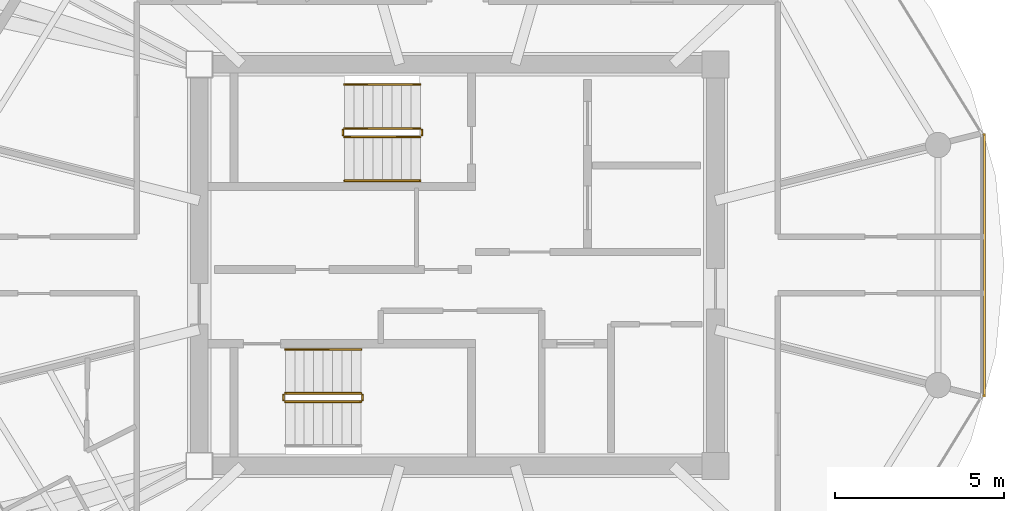
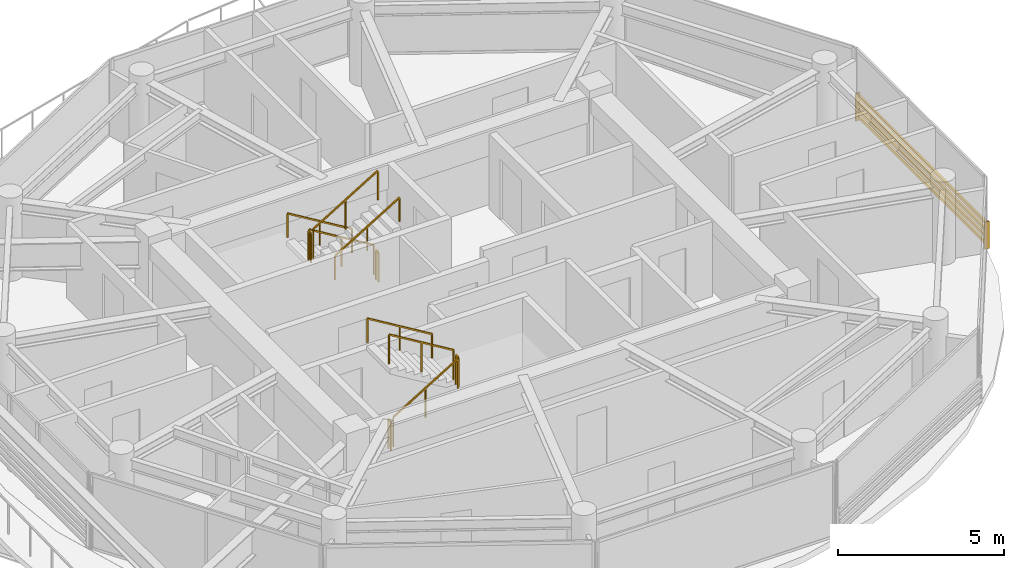
# One storey, part 22 of 23: 11 railings, 1 shading device.
"""IFC4 building model written with IfcOpenShell, lengths in metres."""

from ifc_helpers import new_model, si_unit, direction, frame, origin, origin_2d, place, context, subcontext, project, spatial, rectangle, extrude, source, transform, mapped, material, type_object, type_shapes, element, save


model = new_model("IFC4")

# Units and contexts
model_context = context("Model", 3, precision=1e-05, world=origin(), true_north=direction((0.0, 1.0)))
body_context = subcontext(model_context, "Body", "Model", "MODEL_VIEW")
ifc_project = project(units=[si_unit("LENGTHUNIT", "METRE"), si_unit("AREAUNIT", "SQUARE_METRE"), si_unit("VOLUMEUNIT", "CUBIC_METRE"), si_unit("PLANEANGLEUNIT", "RADIAN"), si_unit("MASSUNIT", "GRAM", prefix="KILO")], contexts=[model_context])

# Site, building, storey
site_placement = place(None, origin())
site = spatial("IfcSite", under=ifc_project, at=site_placement, CompositionType="ELEMENT")
building_placement = place(site_placement, origin())
building = spatial("IfcBuilding", under=site, at=building_placement, Name="Norrkilde Senior Care Towers", CompositionType="ELEMENT")
storey_placement = place(building_placement, frame((0.0, 0.0, 196.75)))
storey = spatial("IfcBuildingStorey", under=building, at=storey_placement, Name="L61", CompositionType="ELEMENT", Elevation=196.75)

# Railings
ifc_material_1 = material(Name="Stainless Steel", Category="steel")
railing_type_1 = type_object("IfcRailingType", Name="Stair and Terrace Guardrail 1100", PredefinedType="GUARDRAIL", material=ifc_material_1)
railing_1_placement = place(storey_placement, frame((26.89990234375, 4.050048828125, 0.16943359375)))
element("IfcRailing", 1, at=railing_1_placement, inside=storey, type_object=railing_type_1, Name="L61 ST-E1 stair guard 1", PredefinedType="GUARDRAIL", context=body_context, shape_type="SweptSolid", body=[
    extrude(rectangle(XDim=0.048095703125, YDim=0.048095703125, at=origin_2d()), frame((0.0, 0.0, 1.076171875), z_axis=(-0.855553338991, 0.0, 0.51771467445), x_axis=(0.0, -1.0, 0.0)), (0.0, 0.0, 1.0), 2.6181640625),
    extrude(rectangle(XDim=0.0419921875, YDim=0.0419921875, at=origin_2d()), origin(), (0.0, 0.0, 1.0), 1.050048828125),
    extrude(rectangle(XDim=0.0419921875, YDim=0.0419921875, at=origin_2d()), frame((-1.1201171875, 0.0, 0.677734375)), (0.0, 0.0, 1.0), 1.050048828125),
    extrude(rectangle(XDim=0.0419921875, YDim=0.0419921875, at=origin_2d()), frame((-2.239990234375, 0.0, 1.35546875)), (0.0, 0.0, 1.0), 1.050048828125),
])
railing_2_placement = place(storey_placement, frame((24.610107421875, 4.0, 1.52490234375)))
element("IfcRailing", 2, at=railing_2_placement, inside=storey, type_object=railing_type_1, Name="L61 ST-E1 stair guard 2", PredefinedType="GUARDRAIL", context=body_context, shape_type="SweptSolid", body=[
    extrude(rectangle(XDim=0.048095703125, YDim=0.048095703125, at=origin_2d()), frame((0.0, 0.0, 1.076171875), z_axis=(0.0, -1.0, 0.0), x_axis=(1.0, 0.0, 0.0)), (0.0, 0.0, 1.0), 0.14990234375),
    extrude(rectangle(XDim=0.0419921875, YDim=0.0419921875, at=origin_2d()), origin(), (0.0, 0.0, 1.0), 1.050048828125),
    extrude(rectangle(XDim=0.0419921875, YDim=0.0419921875, at=origin_2d()), frame((0.0, -0.14990234375, 0.0)), (0.0, 0.0, 1.0), 1.050048828125),
])
railing_3_placement = place(storey_placement, frame((24.659912109375, 3.800048828125, 1.6943359375)))
element("IfcRailing", 3, at=railing_3_placement, inside=storey, type_object=railing_type_1, Name="L61 ST-E1 stair guard 3", PredefinedType="GUARDRAIL", context=body_context, shape_type="SweptSolid", body=[
    extrude(rectangle(XDim=0.048095703125, YDim=0.048095703125, at=origin_2d()), frame((0.0, 0.0, 1.076171875), z_axis=(0.855512035549, 0.0, 0.517782924622), x_axis=(0.0, 1.0, 0.0)), (0.0, 0.0, 1.0), 2.618408203125),
    extrude(rectangle(XDim=0.0419921875, YDim=0.0419921875, at=origin_2d()), origin(), (0.0, 0.0, 1.0), 1.050048828125),
    extrude(rectangle(XDim=0.0419921875, YDim=0.0419921875, at=origin_2d()), frame((1.1201171875, 0.0, 0.677734375)), (0.0, 0.0, 1.0), 1.050048828125),
    extrude(rectangle(XDim=0.0419921875, YDim=0.0419921875, at=origin_2d()), frame((2.239990234375, 0.0, 1.355712890625)), (0.0, 0.0, 1.0), 1.050048828125),
])
railing_4_placement = place(storey_placement, frame((26.949951171875, 4.0, 0.0)))
element("IfcRailing", 4, at=railing_4_placement, inside=storey, type_object=railing_type_1, Name="L61 ST-E1 stair guard 4", PredefinedType="GUARDRAIL", context=body_context, shape_type="SweptSolid", body=[
    extrude(rectangle(XDim=0.048095703125, YDim=0.048095703125, at=origin_2d()), frame((0.0, 0.0, 1.076171875), z_axis=(0.0, -1.0, 0.0), x_axis=(1.0, 0.0, 0.0)), (0.0, 0.0, 1.0), 0.14990234375),
    extrude(rectangle(XDim=0.0419921875, YDim=0.0419921875, at=origin_2d()), origin(), (0.0, 0.0, 1.0), 1.050048828125),
    extrude(rectangle(XDim=0.0419921875, YDim=0.0419921875, at=origin_2d()), frame((0.0, -0.14990234375, 0.0)), (0.0, 0.0, 1.0), 1.050048828125),
])
railing_5_placement = place(storey_placement, frame((22.89990234375, -4.050048828125, 0.16943359375)))
element("IfcRailing", 5, at=railing_5_placement, inside=storey, type_object=railing_type_1, Name="L61 ST-E2 stair guard 1", PredefinedType="GUARDRAIL", context=body_context, shape_type="SweptSolid", body=[
    extrude(rectangle(XDim=0.048095703125, YDim=0.048095703125, at=origin_2d()), frame((0.0, 0.0, 1.076171875), z_axis=(0.855553338991, 0.0, 0.51771467445), x_axis=(0.0, 1.0, 0.0)), (0.0, 0.0, 1.0), 2.6181640625),
    extrude(rectangle(XDim=0.0419921875, YDim=0.0419921875, at=origin_2d()), origin(), (0.0, 0.0, 1.0), 1.050048828125),
    extrude(rectangle(XDim=0.0419921875, YDim=0.0419921875, at=origin_2d()), frame((1.1201171875, 0.0, 0.677734375)), (0.0, 0.0, 1.0), 1.050048828125),
    extrude(rectangle(XDim=0.0419921875, YDim=0.0419921875, at=origin_2d()), frame((2.239990234375, 0.0, 1.35546875)), (0.0, 0.0, 1.0), 1.050048828125),
])
railing_6_placement = place(storey_placement, frame((25.18994140625, -4.0, 1.52490234375)))
element("IfcRailing", 6, at=railing_6_placement, inside=storey, type_object=railing_type_1, Name="L61 ST-E2 stair guard 2", PredefinedType="GUARDRAIL", context=body_context, shape_type="SweptSolid", body=[
    extrude(rectangle(XDim=0.048095703125, YDim=0.048095703125, at=origin_2d()), frame((0.0, 0.0, 1.076171875), z_axis=(0.0, 1.0, 0.0), x_axis=(-1.0, 0.0, 0.0)), (0.0, 0.0, 1.0), 0.14990234375),
    extrude(rectangle(XDim=0.0419921875, YDim=0.0419921875, at=origin_2d()), origin(), (0.0, 0.0, 1.0), 1.050048828125),
    extrude(rectangle(XDim=0.0419921875, YDim=0.0419921875, at=origin_2d()), frame((0.0, 0.14990234375, 0.0)), (0.0, 0.0, 1.0), 1.050048828125),
])
railing_7_placement = place(storey_placement, frame((25.139892578125, -3.800048828125, 1.6943359375)))
element("IfcRailing", 7, at=railing_7_placement, inside=storey, type_object=railing_type_1, Name="L61 ST-E2 stair guard 3", PredefinedType="GUARDRAIL", context=body_context, shape_type="SweptSolid", body=[
    extrude(rectangle(XDim=0.048095703125, YDim=0.048095703125, at=origin_2d()), frame((0.0, 0.0, 1.076171875), z_axis=(-0.855512035549, 0.0, 0.517782924622), x_axis=(0.0, -1.0, 0.0)), (0.0, 0.0, 1.0), 2.618408203125),
    extrude(rectangle(XDim=0.0419921875, YDim=0.0419921875, at=origin_2d()), origin(), (0.0, 0.0, 1.0), 1.050048828125),
    extrude(rectangle(XDim=0.0419921875, YDim=0.0419921875, at=origin_2d()), frame((-1.1201171875, 0.0, 0.677734375)), (0.0, 0.0, 1.0), 1.050048828125),
    extrude(rectangle(XDim=0.0419921875, YDim=0.0419921875, at=origin_2d()), frame((-2.239990234375, 0.0, 1.355712890625)), (0.0, 0.0, 1.0), 1.050048828125),
])
railing_8_placement = place(storey_placement, frame((22.85009765625, -4.0, 0.0)))
element("IfcRailing", 8, at=railing_8_placement, inside=storey, type_object=railing_type_1, Name="L61 ST-E2 stair guard 4", PredefinedType="GUARDRAIL", context=body_context, shape_type="SweptSolid", body=[
    extrude(rectangle(XDim=0.048095703125, YDim=0.048095703125, at=origin_2d()), frame((0.0, 0.0, 1.076171875), z_axis=(0.0, 1.0, 0.0), x_axis=(-1.0, 0.0, 0.0)), (0.0, 0.0, 1.0), 0.14990234375),
    extrude(rectangle(XDim=0.0419921875, YDim=0.0419921875, at=origin_2d()), origin(), (0.0, 0.0, 1.0), 1.050048828125),
    extrude(rectangle(XDim=0.0419921875, YDim=0.0419921875, at=origin_2d()), frame((0.0, 0.14990234375, 0.0)), (0.0, 0.0, 1.0), 1.050048828125),
])
ifc_material_2 = material(Name="Nordic Ash Timber", Category="wood")
railing_type_2 = type_object("IfcRailingType", Name="Wall and Stair Handrail 900", PredefinedType="HANDRAIL", material=ifc_material_2)
railing_9_placement = place(storey_placement, frame((26.89990234375, 5.35009765625, 0.16943359375)))
element("IfcRailing", 9, at=railing_9_placement, inside=storey, type_object=railing_type_2, Name="L61 ST-E1 stair handrail 1", PredefinedType="HANDRAIL", context=body_context, shape_type="SweptSolid", body=[
    extrude(rectangle(XDim=0.048095703125, YDim=0.048095703125, at=origin_2d()), frame((0.0, 0.0, 0.8759765625), z_axis=(-0.855553338991, 0.0, 0.51771467445), x_axis=(0.0, -1.0, 0.0)), (0.0, 0.0, 1.0), 2.6181640625),
    extrude(rectangle(XDim=0.0419921875, YDim=0.0419921875, at=origin_2d()), origin(), (0.0, 0.0, 1.0), 0.849853515625),
    extrude(rectangle(XDim=0.0419921875, YDim=0.0419921875, at=origin_2d()), frame((-1.1201171875, 0.0, 0.677734375)), (0.0, 0.0, 1.0), 0.849853515625),
    extrude(rectangle(XDim=0.0419921875, YDim=0.0419921875, at=origin_2d()), frame((-2.239990234375, 0.0, 1.35546875)), (0.0, 0.0, 1.0), 0.849853515625),
])
railing_10_placement = place(storey_placement, frame((24.659912109375, 2.5, 1.6943359375)))
element("IfcRailing", 10, at=railing_10_placement, inside=storey, type_object=railing_type_2, Name="L61 ST-E1 stair handrail 2", PredefinedType="HANDRAIL", context=body_context, shape_type="SweptSolid", body=[
    extrude(rectangle(XDim=0.048095703125, YDim=0.048095703125, at=origin_2d()), frame((0.0, 0.0, 0.8759765625), z_axis=(0.855512035549, 0.0, 0.517782924622), x_axis=(0.0, 1.0, 0.0)), (0.0, 0.0, 1.0), 2.618408203125),
    extrude(rectangle(XDim=0.0419921875, YDim=0.0419921875, at=origin_2d()), origin(), (0.0, 0.0, 1.0), 0.849853515625),
    extrude(rectangle(XDim=0.0419921875, YDim=0.0419921875, at=origin_2d()), frame((1.1201171875, 0.0, 0.677734375)), (0.0, 0.0, 1.0), 0.849853515625),
    extrude(rectangle(XDim=0.0419921875, YDim=0.0419921875, at=origin_2d()), frame((2.239990234375, 0.0, 1.355712890625)), (0.0, 0.0, 1.0), 0.849853515625),
])
railing_11_placement = place(storey_placement, frame((25.139892578125, -2.5, 1.6943359375)))
element("IfcRailing", 11, at=railing_11_placement, inside=storey, type_object=railing_type_2, Name="L61 ST-E2 stair handrail 2", PredefinedType="HANDRAIL", context=body_context, shape_type="SweptSolid", body=[
    extrude(rectangle(XDim=0.048095703125, YDim=0.048095703125, at=origin_2d()), frame((0.0, 0.0, 0.8759765625), z_axis=(-0.855512035549, 0.0, 0.517782924622), x_axis=(0.0, -1.0, 0.0)), (0.0, 0.0, 1.0), 2.618408203125),
    extrude(rectangle(XDim=0.0419921875, YDim=0.0419921875, at=origin_2d()), origin(), (0.0, 0.0, 1.0), 0.849853515625),
    extrude(rectangle(XDim=0.0419921875, YDim=0.0419921875, at=origin_2d()), frame((-1.1201171875, 0.0, 0.677734375)), (0.0, 0.0, 1.0), 0.849853515625),
    extrude(rectangle(XDim=0.0419921875, YDim=0.0419921875, at=origin_2d()), frame((-2.239990234375, 0.0, 1.355712890625)), (0.0, 0.0, 1.0), 0.849853515625),
])

# Shading device
ifc_material_3 = material(Name="Architectural Terracotta", Category="masonry")
shading_device_type = type_object("IfcShadingDeviceType", Name="Horizontal Terracotta Baguette Rack", PredefinedType="USERDEFINED", material=ifc_material_3)
shared_shape = source(origin(), body_context, "Body", "SweptSolid", [
    extrude(rectangle(XDim=0.070068359375, YDim=0.110107421875, at=origin_2d()), frame((0.0, 0.090087890625, 0.125), z_axis=(1.0, 0.0, 0.0), x_axis=(0.0, 1.0, 0.0)), (0.0, 0.0, 1.0), 7.80615234375),
    extrude(rectangle(XDim=0.070068359375, YDim=0.110107421875, at=origin_2d()), frame((0.0, 0.090087890625, 0.375), z_axis=(1.0, 0.0, 0.0), x_axis=(0.0, 1.0, 0.0)), (0.0, 0.0, 1.0), 7.80615234375),
    extrude(rectangle(XDim=0.070068359375, YDim=0.110107421875, at=origin_2d()), frame((0.0, 0.090087890625, 0.625), z_axis=(1.0, 0.0, 0.0), x_axis=(0.0, 1.0, 0.0)), (0.0, 0.0, 1.0), 7.80615234375),
    extrude(rectangle(XDim=0.070068359375, YDim=0.110107421875, at=origin_2d()), frame((0.0, 0.090087890625, 0.875), z_axis=(1.0, 0.0, 0.0), x_axis=(0.0, 1.0, 0.0)), (0.0, 0.0, 1.0), 7.80615234375),
    extrude(rectangle(XDim=0.050048828125, YDim=0.1552734375, at=origin_2d()), frame((0.02490234375, 0.047607421875, 0.0)), (0.0, 0.0, 1.0), 1.0),
    extrude(rectangle(XDim=0.050048828125, YDim=0.1552734375, at=origin_2d()), frame((7.78125, 0.047607421875, 0.0)), (0.0, 0.0, 1.0), 1.0),
])
type_shapes(shading_device_type, [shared_shape])
shading_device_placement = place(storey_placement, frame((43.531982421875, 3.903076171875, 0.080078125), z_axis=(0.0, 0.0, 1.0), x_axis=(0.0, -1.0, 0.0)))
element("IfcShadingDevice", 12, at=shading_device_placement, inside=storey, type_object=shading_device_type, Name="L61 Drum E Terracotta Baguette Screen 11", ObjectType="BAGUETTE", PredefinedType="USERDEFINED", context=body_context, shape_type="MappedRepresentation", body=[
    mapped(shared_shape, transform((0.0, 0.0, 0.0), x_axis=(1.0, 0.0, 0.0), y_axis=(0.0, 1.0, 0.0), z_axis=(0.0, 0.0, 1.0), scale=1.0)),
])

save(model, "model.ifc")
